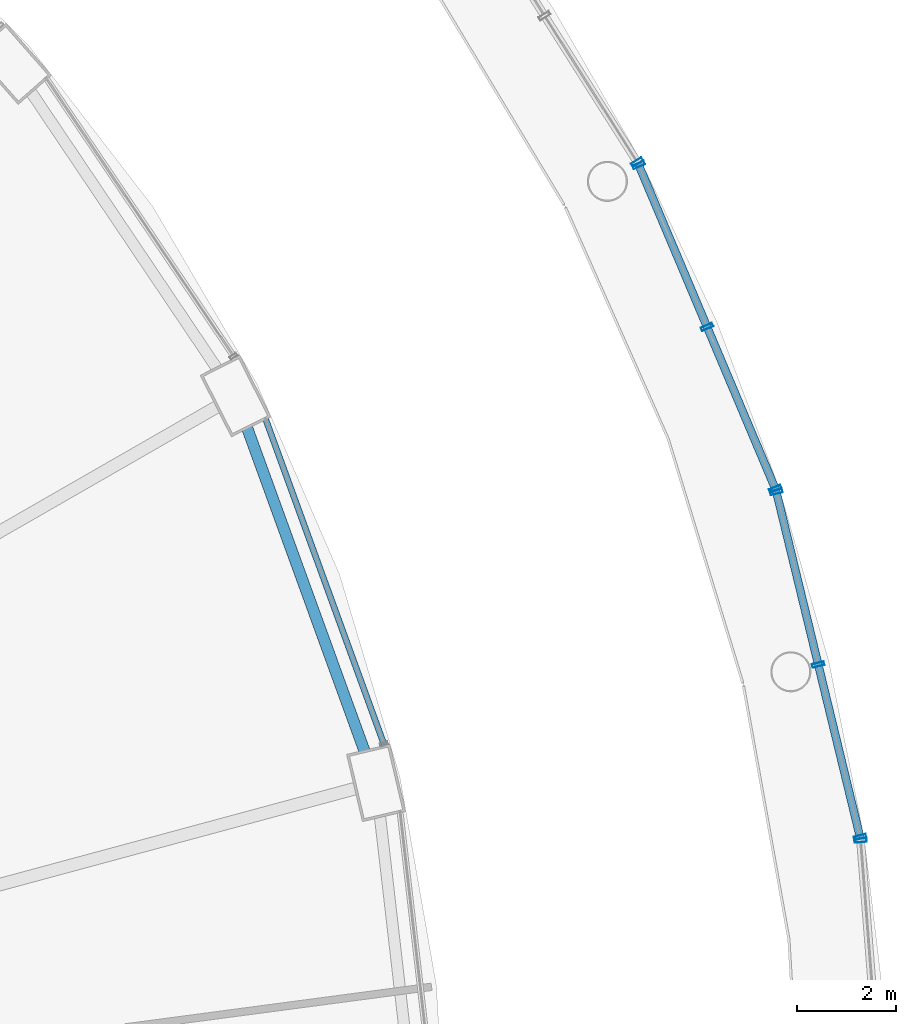
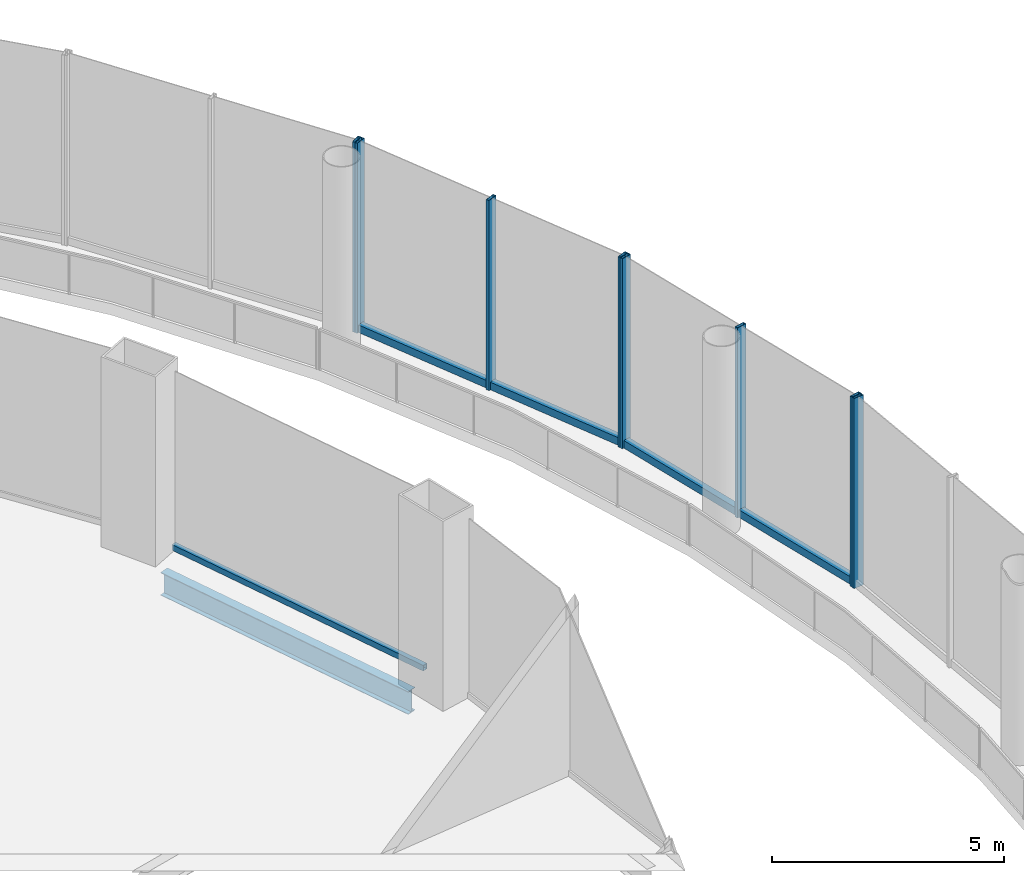
# One storey, part 27 of 48: 11 members, 1 beam, 5 elements without a shape of their own.
"""IFC4 building model written with IfcOpenShell, lengths in metres."""

from ifc_helpers import new_model, si_unit, direction, frame, origin, origin_2d, place, context, subcontext, project, spatial, hollow_rectangle, i_section, extrude, material, layer, layer_set, material_profile, profile_set, type_object, element, aggregate, save


model = new_model("IFC4")

# Units and contexts
model_context = context("Model", 3, precision=1e-05, world=origin(), true_north=direction((0.0, 1.0)))
body_context = subcontext(model_context, "Body", "Model", "MODEL_VIEW")
ifc_project = project(units=[si_unit("LENGTHUNIT", "METRE"), si_unit("AREAUNIT", "SQUARE_METRE"), si_unit("VOLUMEUNIT", "CUBIC_METRE"), si_unit("PLANEANGLEUNIT", "RADIAN"), si_unit("MASSUNIT", "GRAM", prefix="KILO")], contexts=[model_context])

# Site, building, storey
site_placement = place(None, origin())
site = spatial("IfcSite", under=ifc_project, at=site_placement, CompositionType="ELEMENT")
building_placement = place(site_placement, origin())
building = spatial("IfcBuilding", under=site, at=building_placement, Name="Nagisa Residences", CompositionType="ELEMENT")
storey_placement = place(building_placement, frame((0.0, 0.0, 12.0)))
storey = spatial("IfcBuildingStorey", under=building, at=storey_placement, Name="L02", CompositionType="ELEMENT", Elevation=12.0)

# Curtain wall, member
ifc_material_1 = material(Name="Stainless steel curtain wall system", Category="steel")
ifc_layer_1 = layer(ifc_material_1, 0.159912109375)
ifc_layer_set_1 = layer_set([ifc_layer_1], Name="CW3 CURTAIN WALL")
curtain_wall_type_1 = type_object("IfcCurtainWallType", Name="CW3 CURTAIN WALL", PredefinedType="NOTDEFINED", material=ifc_layer_set_1)
curtain_wall_1_placement = place(storey_placement, origin())
curtain_wall_1 = element("IfcCurtainWall", 1, at=curtain_wall_1_placement, inside=storey, type_object=curtain_wall_type_1, Name="cw:CW3:L02:00", PredefinedType="NOTDEFINED")
ifc_material_2 = material(Name="Stainless steel", Category="steel")
ifc_material_profile_1 = material_profile(ifc_material_2, hollow_rectangle(XDim=0.25, YDim=0.080078125, WallThickness=0.008056640625, at=origin_2d()), Name="CW3 MULLION 250x80")
ifc_profile_set_1 = profile_set([ifc_material_profile_1], Name="Stainless steel")
member_type_1 = type_object("IfcMemberType", Name="CW3 MULLION 250x80", PredefinedType="MULLION", material=ifc_profile_set_1)
member_1_placement = place(storey_placement, frame((40.946044921875, 7.2470703125, 0.0), z_axis=(0.0, 0.0, 1.0), x_axis=(-0.996881777235, -0.078909582539, 0.0)))
member_1 = element("IfcMember", 2, at=member_1_placement, type_object=member_type_1, Name="CW3 mullion", PredefinedType="MULLION", context=body_context, shape_type="SweptSolid", body=[
    extrude(hollow_rectangle(XDim=0.25, YDim=0.080078125, WallThickness=0.008056640625, at=origin_2d()), origin(), (0.0, 0.0, 1.0), 5.0),
])
aggregate(curtain_wall_1, [member_1])

# Curtain wall, members
curtain_wall_2_placement = place(storey_placement, origin())
curtain_wall_2 = element("IfcCurtainWall", 3, at=curtain_wall_2_placement, inside=storey, type_object=curtain_wall_type_1, Name="cw:CW3:L02:01", PredefinedType="NOTDEFINED")
member_2_placement = place(storey_placement, frame((40.935546875, 7.313232421875, 0.0), z_axis=(0.0, 0.0, 1.0), x_axis=(-0.971848775146, -0.235605514043, 0.0)))
member_2 = element("IfcMember", 4, at=member_2_placement, type_object=member_type_1, Name="CW3 mullion", PredefinedType="MULLION", context=body_context, shape_type="SweptSolid", body=[
    extrude(hollow_rectangle(XDim=0.25, YDim=0.080078125, WallThickness=0.008056640625, at=origin_2d()), origin(), (0.0, 0.0, 1.0), 5.0),
])
member_3_placement = place(storey_placement, frame((40.087646484375, 10.810302734375, 0.0), z_axis=(0.0, 0.0, 1.0), x_axis=(-0.971848775146, -0.235605514043, 0.0)))
member_3 = element("IfcMember", 5, at=member_3_placement, type_object=member_type_1, Name="CW3 mullion", PredefinedType="MULLION", context=body_context, shape_type="SweptSolid", body=[
    extrude(hollow_rectangle(XDim=0.25, YDim=0.080078125, WallThickness=0.008056640625, at=origin_2d()), origin(), (0.0, 0.0, 1.0), 5.0),
])
member_4_placement = place(storey_placement, frame((39.239990234375, 14.30712890625, 0.0), z_axis=(0.0, 0.0, 1.0), x_axis=(-0.971848775146, -0.235605514043, 0.0)))
member_4 = element("IfcMember", 6, at=member_4_placement, type_object=member_type_1, Name="CW3 mullion", PredefinedType="MULLION", context=body_context, shape_type="SweptSolid", body=[
    extrude(hollow_rectangle(XDim=0.25, YDim=0.080078125, WallThickness=0.008056640625, at=origin_2d()), origin(), (0.0, 0.0, 1.0), 5.0),
])

curtain_wall_3_placement = place(storey_placement, origin())
curtain_wall_3 = element("IfcCurtainWall", 7, at=curtain_wall_3_placement, inside=storey, type_object=curtain_wall_type_1, Name="cw:CW3:L02:02", PredefinedType="NOTDEFINED")
member_5_placement = place(storey_placement, frame((39.218994140625, 14.37060546875, 0.0), z_axis=(0.0, 0.0, 1.0), x_axis=(-0.921356767819, -0.388718029417, 0.0)))
member_5 = element("IfcMember", 8, at=member_5_placement, type_object=member_type_1, Name="CW3 mullion", PredefinedType="MULLION", context=body_context, shape_type="SweptSolid", body=[
    extrude(hollow_rectangle(XDim=0.25, YDim=0.080078125, WallThickness=0.008056640625, at=origin_2d()), origin(), (0.0, 0.0, 1.0), 5.0),
])
member_6_placement = place(storey_placement, frame((37.8349609375, 17.6513671875, 0.0), z_axis=(0.0, 0.0, 1.0), x_axis=(-0.921356767819, -0.388718029417, 0.0)))
member_6 = element("IfcMember", 9, at=member_6_placement, type_object=member_type_1, Name="CW3 mullion", PredefinedType="MULLION", context=body_context, shape_type="SweptSolid", body=[
    extrude(hollow_rectangle(XDim=0.25, YDim=0.080078125, WallThickness=0.008056640625, at=origin_2d()), origin(), (0.0, 0.0, 1.0), 5.0),
])
member_7_placement = place(storey_placement, frame((36.45068359375, 20.93212890625, 0.0), z_axis=(0.0, 0.0, 1.0), x_axis=(-0.921356767819, -0.388718029417, 0.0)))
member_7 = element("IfcMember", 10, at=member_7_placement, type_object=member_type_1, Name="CW3 mullion", PredefinedType="MULLION", context=body_context, shape_type="SweptSolid", body=[
    extrude(hollow_rectangle(XDim=0.25, YDim=0.080078125, WallThickness=0.008056640625, at=origin_2d()), origin(), (0.0, 0.0, 1.0), 5.0),
])

# Curtain wall, member
curtain_wall_4_placement = place(storey_placement, origin())
curtain_wall_4 = element("IfcCurtainWall", 11, at=curtain_wall_4_placement, inside=storey, type_object=curtain_wall_type_1, Name="cw:CW3:L02:03", PredefinedType="NOTDEFINED")
member_8_placement = place(storey_placement, frame((36.419921875, 20.990966796875, 0.0), z_axis=(0.0, 0.0, 1.0), x_axis=(-0.844747368001, -0.535165286856, 0.0)))
member_8 = element("IfcMember", 12, at=member_8_placement, type_object=member_type_1, Name="CW3 mullion", PredefinedType="MULLION", context=body_context, shape_type="SweptSolid", body=[
    extrude(hollow_rectangle(XDim=0.25, YDim=0.080078125, WallThickness=0.008056640625, at=origin_2d()), origin(), (0.0, 0.0, 1.0), 5.0),
])
aggregate(curtain_wall_4, [member_8])

# Member
ifc_material_3 = material(Name="Stainless steel", Category="steel")
ifc_material_profile_2 = material_profile(ifc_material_3, hollow_rectangle(XDim=0.159912109375, YDim=0.199951171875, WallThickness=0.008056640625, at=origin_2d()), Name="CW3 TRANSOM 160x200")
ifc_profile_set_2 = profile_set([ifc_material_profile_2], Name="Stainless steel")
member_type_2 = type_object("IfcMemberType", Name="CW3 TRANSOM 160x200", PredefinedType="USERDEFINED", material=ifc_profile_set_2)
member_9_placement = place(storey_placement, frame((40.945068359375, 7.2744140625, 0.10009765625), z_axis=(-0.235637477095, 0.97184102578, 0.0), x_axis=(-0.97184102578, -0.235637477095, 0.0)))
member_9 = element("IfcMember", 13, at=member_9_placement, type_object=member_type_2, Name="CW3 transom", ObjectType="TRANSOM", PredefinedType="USERDEFINED", context=body_context, shape_type="SweptSolid", body=[
    extrude(hollow_rectangle(XDim=0.159912109375, YDim=0.199951171875, WallThickness=0.008056640625, at=origin_2d()), origin(), (0.0, 0.0, 1.0), 7.2763671875),
])

aggregate(curtain_wall_2, [member_2, member_3, member_4, member_9])

member_10_placement = place(storey_placement, frame((39.234619140625, 14.333740234375, 0.10009765625), z_axis=(-0.388708599467, 0.921360746234, 0.0), x_axis=(-0.921360746234, -0.388708599467, 0.0)))
member_10 = element("IfcMember", 14, at=member_10_placement, type_object=member_type_2, Name="CW3 transom", ObjectType="TRANSOM", PredefinedType="USERDEFINED", context=body_context, shape_type="SweptSolid", body=[
    extrude(hollow_rectangle(XDim=0.159912109375, YDim=0.199951171875, WallThickness=0.008056640625, at=origin_2d()), origin(), (0.0, 0.0, 1.0), 7.20166015625),
])

aggregate(curtain_wall_3, [member_5, member_6, member_7, member_10])

# Curtain wall, member
ifc_material_4 = material(Name="Stainless steel curtain wall system", Category="steel")
ifc_layer_2 = layer(ifc_material_4, 0.159912109375)
ifc_layer_set_2 = layer_set([ifc_layer_2], Name="CW6 CURTAIN WALL")
curtain_wall_type_2 = type_object("IfcCurtainWallType", Name="CW6 CURTAIN WALL", PredefinedType="NOTDEFINED", material=ifc_layer_set_2)
curtain_wall_5_placement = place(storey_placement, origin())
curtain_wall_5 = element("IfcCurtainWall", 15, at=curtain_wall_5_placement, inside=storey, type_object=curtain_wall_type_2, Name="cw:CW6:L02:02", PredefinedType="NOTDEFINED")
ifc_material_5 = material(Name="Stainless steel", Category="steel")
ifc_material_profile_3 = material_profile(ifc_material_5, hollow_rectangle(XDim=0.1201171875, YDim=0.14990234375, WallThickness=0.008056640625, at=origin_2d()), Name="CW6 TRANSOM 120x150")
ifc_profile_set_3 = profile_set([ifc_material_profile_3], Name="Stainless steel")
member_type_3 = type_object("IfcMemberType", Name="CW6 TRANSOM 120x150", PredefinedType="USERDEFINED", material=ifc_profile_set_3)
member_11_placement = place(storey_placement, frame((31.297119140625, 9.17138671875, 0.074951171875), z_axis=(-0.342039719013, 0.939685495587, 0.0), x_axis=(-0.939685495587, -0.342039719013, 0.0)))
member_11 = element("IfcMember", 16, at=member_11_placement, type_object=member_type_3, Name="CW6 transom", ObjectType="TRANSOM", PredefinedType="USERDEFINED", context=body_context, shape_type="SweptSolid", body=[
    extrude(hollow_rectangle(XDim=0.1201171875, YDim=0.14990234375, WallThickness=0.008056640625, at=origin_2d()), origin(), (0.0, 0.0, 1.0), 7.070068359375),
])
aggregate(curtain_wall_5, [member_11])

# Beam
ifc_material_6 = material(Name="Steel ASTM A572 Gr 50", Category="steel")
ifc_material_profile_4 = material_profile(ifc_material_6, i_section(OverallWidth=0.22802734375, OverallDepth=0.60302734375, WebThickness=0.010498046875, FlangeThickness=0.014892578125, at=origin_2d()), Name="W610x101")
ifc_profile_set_4 = profile_set([ifc_material_profile_4], Name="Steel ASTM A572 Gr 50")
beam_type = type_object("IfcBeamType", Name="Perimeter ring beam W610x101", PredefinedType="BEAM", material=ifc_profile_set_4)
beam_placement = place(storey_placement, frame((30.89501953125, 9.055419921875, -0.6015625), z_axis=(-0.341411143183, 0.939914055279, 0.0), x_axis=(-0.939914055279, -0.341411143183, 0.0)))
element("IfcBeam", 17, at=beam_placement, inside=storey, type_object=beam_type, Name="beam:L02:pb02", PredefinedType="BEAM", context=body_context, shape_type="SweptSolid", body=[
    extrude(i_section(OverallWidth=0.22802734375, OverallDepth=0.60302734375, WebThickness=0.010498046875, FlangeThickness=0.014892578125, at=origin_2d()), origin(), (0.0, 0.0, 1.0), 6.96923828125),
])

save(model, "model.ifc")
